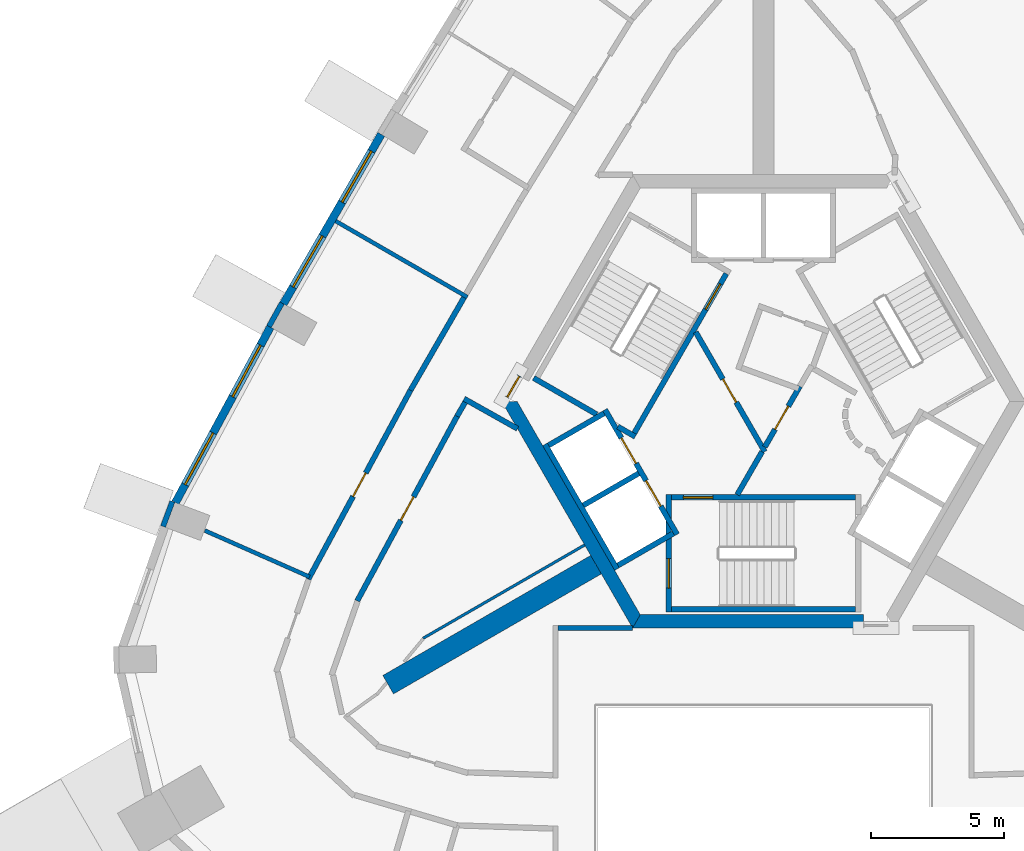
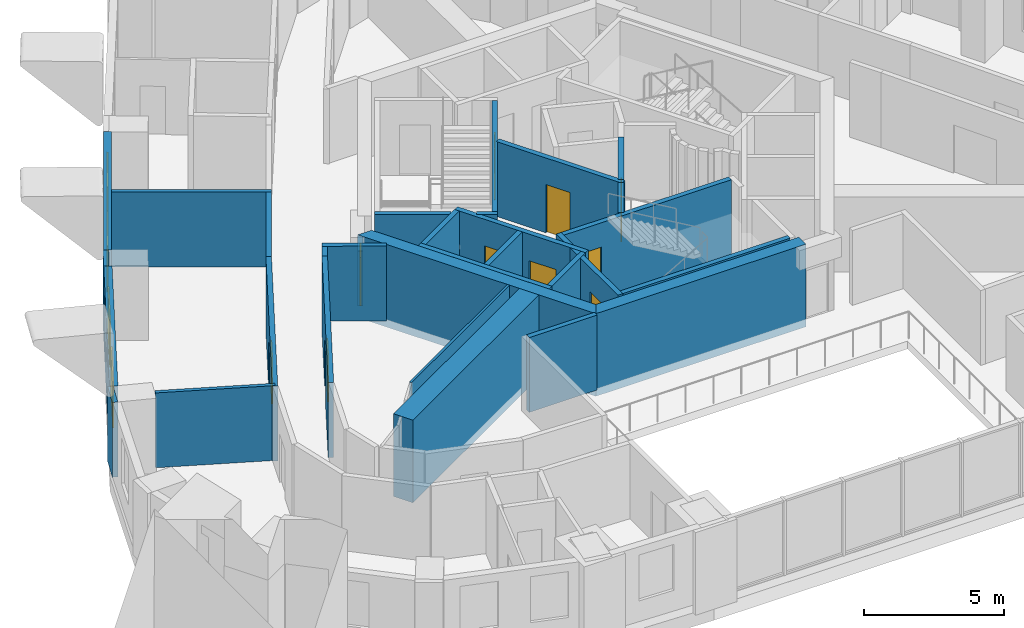
# One storey, part 4 of 11: 31 walls, 10 doors, 4 windows, 14 openings.
"""IFC4 building model written with IfcOpenShell, lengths in metres."""

from ifc_helpers import new_model, si_unit, direction, frame, frame_2d, origin, place, context, subcontext, project, spatial, polyline, rectangle, outline, extrude, material, layer, layer_set, type_object, element, fill, save


model = new_model("IFC4")

# Units and contexts
model_context = context("Model", 3, precision=1e-05, world=origin(), true_north=direction((0.0, 1.0)))
body_context = subcontext(model_context, "Body", "Model", "MODEL_VIEW")
ifc_project = project(units=[si_unit("LENGTHUNIT", "METRE"), si_unit("AREAUNIT", "SQUARE_METRE"), si_unit("VOLUMEUNIT", "CUBIC_METRE"), si_unit("PLANEANGLEUNIT", "RADIAN"), si_unit("MASSUNIT", "GRAM", prefix="KILO")], contexts=[model_context])

# Site, building, storey
site_placement = place(None, origin())
site = spatial("IfcSite", under=ifc_project, at=site_placement, CompositionType="ELEMENT")
building_placement = place(site_placement, origin())
building = spatial("IfcBuilding", under=site, at=building_placement, Name="Entoto Arch Interchange Tower", CompositionType="ELEMENT")
storey_placement = place(building_placement, frame((0.0, 0.0, 318.800048828125)))
storey = spatial("IfcBuildingStorey", under=building, at=storey_placement, Name="L75", CompositionType="ELEMENT", Elevation=318.800048828125)

# Wall
ifc_material_1 = material(Name="Concrete C40/50", Category="concrete")
ifc_layer_1 = layer(ifc_material_1, 0.800048828125)
ifc_layer_set_1 = layer_set([ifc_layer_1], Name="Concrete C40/50")
wall_type_1 = type_object("IfcWallType", Name="Buttress wall 800 C40/50", PredefinedType="SHEAR", material=ifc_layer_set_1)
wall_1_placement = place(storey_placement, frame((-6.279052734375, -3.625, -0.340087890625), z_axis=(0.0, 0.0, 1.0), x_axis=(-0.866017533419, -0.500013631625, 0.0)))
element("IfcWall", 1, at=wall_1_placement, inside=storey, type_object=wall_type_1, Name="Buttress wall SW L75", PredefinedType="SHEAR", context=body_context, shape_type="SweptSolid", body=[
    extrude(rectangle(XDim=8.999755859375, YDim=0.800048828125, at=frame_2d((4.5, 0.0))), origin(), (0.0, 0.0, 1.0), 3.60009765625),
])

# Wall, opening, door
ifc_material_2 = material(Name="Reinforced concrete C40/50", Category="concrete")
ifc_layer_2 = layer(ifc_material_2, 0.199951171875)
ifc_layer_set_2 = layer_set([ifc_layer_2], Name="Reinforced concrete C40/50")
wall_type_2 = type_object("IfcWallType", Name="CORE GAP INFILL WALL", PredefinedType="PARTITIONING", material=ifc_layer_set_2)
wall_2_placement = place(storey_placement, frame((-9.14990234375, 3.451904296875, 0.0), z_axis=(0.0, 0.0, 1.0), x_axis=(-0.500079945886, -0.865979242085, 0.0)))
wall_2 = element("IfcWall", 2, at=wall_2_placement, inside=storey, type_object=wall_type_2, Name="wall:L75:gap3", PredefinedType="PARTITIONING", context=body_context, shape_type="SweptSolid", body=[
    extrude(rectangle(XDim=0.926025390625, YDim=0.199951171875, at=frame_2d((0.462890625, 0.0))), origin(), (0.0, 0.0, 1.0), 2.39990234375),
])
opening_1_placement = place(wall_2_placement, frame((0.01708984375, 0.0, 0.0)))
opening_1 = element("IfcOpeningElement", 3, at=opening_1_placement, cuts=wall_2, Name="Opening L75-D93", PredefinedType="OPENING", context=body_context, shape_type="SweptSolid", body=[
    extrude(rectangle(XDim=0.89990234375, YDim=2.10009765625, at=frame_2d((0.449951171875, 1.050048828125))), frame((0.0, 0.10986328125, 0.0), z_axis=(0.0, -1.0, 0.0), x_axis=(1.0, 0.0, 0.0)), (0.0, 0.0, 1.0), 0.219970703125),
])
ifc_material_3 = material(Name="Fire-rated Steel S235 door and frame", Category="steel")
door_type_1 = type_object("IfcDoorType", Name="DOOR FD-09 900x2100", OperationType="SINGLE_SWING_LEFT", PredefinedType="DOOR", material=ifc_material_3)
door_1_placement = place(opening_1_placement, origin())
door_1 = element("IfcDoor", 4, at=door_1_placement, inside=storey, type_object=door_type_1, Name="door:L75:gap3", OperationType="SINGLE_SWING_LEFT", OverallHeight=2.10009765625, OverallWidth=0.89990234375, PredefinedType="DOOR", context=body_context, shape_type="SweptSolid", body=[
    extrude(rectangle(XDim=0.89990234375, YDim=2.10009765625, at=frame_2d((0.449951171875, 1.050048828125))), frame((0.0, 0.02490234375, 0.0), z_axis=(0.0, -1.0, 0.0), x_axis=(1.0, 0.0, 0.0)), (0.0, 0.0, 1.0), 0.050048828125),
])
fill(opening_1, door_1)

# Walls
ifc_layer_3 = layer(ifc_material_1, 0.5)
ifc_layer_set_3 = layer_set([ifc_layer_3], Name="Concrete C40/50")
wall_type_3 = type_object("IfcWallType", Name="Core wall 500 C40/50", PredefinedType="SHEAR", material=ifc_layer_set_3)
wall_3_placement = place(storey_placement, frame((0.0, 0.0, -0.340087890625)))
element("IfcWall", 5, at=wall_3_placement, inside=storey, type_object=wall_type_3, Name="Core wall SW L75", PredefinedType="SHEAR", context=body_context, shape_type="SweptSolid", body=[
    extrude(outline(polyline([(-9.81494140625, 2.5), (-4.906982421875, -6.0), (-4.618896484375, -5.5), (-9.238037109375, 2.5), (-9.81494140625, 2.5)])), origin(), (0.0, 0.0, 1.0), 3.60009765625),
])
wall_4_placement = place(storey_placement, frame((0.0, 0.0, -0.340087890625)))
element("IfcWall", 6, at=wall_4_placement, inside=storey, type_object=wall_type_3, Name="Core wall S L75", PredefinedType="SHEAR", context=body_context, shape_type="SweptSolid", body=[
    extrude(outline(polyline([(3.75, -6.0), (3.75, -5.5), (-4.618896484375, -5.5), (-4.906982421875, -6.0), (3.75, -6.0)])), origin(), (0.0, 0.0, 1.0), 3.60009765625),
])

# Wall, openings, doors
ifc_layer_4 = layer(ifc_material_1, 0.199951171875)
ifc_layer_set_4 = layer_set([ifc_layer_4], Name="Concrete C40/50")
wall_type_4 = type_object("IfcWallType", Name="LIFT SHAFT WALL 200", PredefinedType="STANDARD", material=ifc_layer_set_4)
wall_5_placement = place(storey_placement, frame((-5.93994140625, 2.18798828125, 0.0), z_axis=(0.0, 0.0, 1.0), x_axis=(0.500034260056, -0.866005622828, 0.0)))
wall_5 = element("IfcWall", 7, at=wall_5_placement, inside=storey, type_object=wall_type_4, Name="Shaft wall SW1 front", PredefinedType="STANDARD", context=body_context, shape_type="SweptSolid", body=[
    extrude(rectangle(XDim=5.3994140625, YDim=0.199951171875, at=frame_2d((2.69970703125, 0.0))), origin(), (0.0, 0.0, 1.0), 3.260009765625),
])
opening_2_placement = place(wall_5_placement, frame((3.074951171875, 0.0, 0.0)))
opening_2 = element("IfcOpeningElement", 8, at=opening_2_placement, cuts=wall_5, Name="Opening LD-HR4-L75", PredefinedType="OPENING", context=body_context, shape_type="SweptSolid", body=[
    extrude(rectangle(XDim=1.10009765625, YDim=2.10009765625, at=frame_2d((0.550048828125, 1.050048828125))), frame((0.0, 0.10986328125, 0.0), z_axis=(0.0, -1.0, 0.0), x_axis=(1.0, 0.0, 0.0)), (0.0, 0.0, 1.0), 0.219970703125),
])
opening_3_placement = place(wall_5_placement, frame((1.22509765625, 0.0, 0.0)))
opening_3 = element("IfcOpeningElement", 9, at=opening_3_placement, cuts=wall_5, Name="Opening LD-FF2-L75", PredefinedType="OPENING", context=body_context, shape_type="SweptSolid", body=[
    extrude(rectangle(XDim=1.10009765625, YDim=2.10009765625, at=frame_2d((0.550048828125, 1.050048828125))), frame((0.0, 0.10986328125, 0.0), z_axis=(0.0, -1.0, 0.0), x_axis=(1.0, 0.0, 0.0)), (0.0, 0.0, 1.0), 0.219970703125),
])
ifc_material_4 = material(Name="Stainless steel 1.4301 panels", Category="steel")
door_type_2 = type_object("IfcDoorType", Name="LIFT LANDING DOOR LD1 1100x2100", OperationType="SLIDING_TO_LEFT", PredefinedType="DOOR", material=ifc_material_4)
door_2_placement = place(opening_2_placement, origin())
door_2 = element("IfcDoor", 10, at=door_2_placement, inside=storey, type_object=door_type_2, Name="Lift landing door HR4 L75", OperationType="SLIDING_TO_LEFT", OverallHeight=2.10009765625, OverallWidth=1.10009765625, PredefinedType="DOOR", context=body_context, shape_type="SweptSolid", body=[
    extrude(rectangle(XDim=1.10009765625, YDim=2.10009765625, at=frame_2d((0.550048828125, 1.050048828125))), frame((0.0, 0.02490234375, 0.0), z_axis=(0.0, -1.0, 0.0), x_axis=(1.0, 0.0, 0.0)), (0.0, 0.0, 1.0), 0.050048828125),
])
fill(opening_2, door_2)
door_3_placement = place(opening_3_placement, origin())
door_3 = element("IfcDoor", 11, at=door_3_placement, inside=storey, type_object=door_type_2, Name="Lift landing door FF2 L75", OperationType="SLIDING_TO_LEFT", OverallHeight=2.10009765625, OverallWidth=1.10009765625, PredefinedType="DOOR", context=body_context, shape_type="SweptSolid", body=[
    extrude(rectangle(XDim=1.10009765625, YDim=2.10009765625, at=frame_2d((0.550048828125, 1.050048828125))), frame((0.0, 0.02490234375, 0.0), z_axis=(0.0, -1.0, 0.0), x_axis=(1.0, 0.0, 0.0)), (0.0, 0.0, 1.0), 0.050048828125),
])
fill(opening_3, door_3)

# Walls
wall_6_placement = place(storey_placement, frame((-8.19189453125, 0.887939453125, 0.0), z_axis=(0.0, 0.0, 1.0), x_axis=(0.500034260056, -0.866005622828, 0.0)))
element("IfcWall", 12, at=wall_6_placement, inside=storey, type_object=wall_type_4, Name="Shaft wall SW1 back", PredefinedType="STANDARD", context=body_context, shape_type="SweptSolid", body=[
    extrude(rectangle(XDim=5.3994140625, YDim=0.199951171875, at=frame_2d((2.69970703125, 0.0))), origin(), (0.0, 0.0, 1.0), 3.260009765625),
])
for number, where, z_axis, x_axis, name in (
    (13, (-5.97705078125, 2.052001953125, 0.0), (0.0, 0.0, 1.0), (-0.865973769406, -0.500089422704, 0.0), "Shaft wall SW1 cross 1"),
    (14, (-4.677001953125, -0.199951171875, 0.0), (0.0, 0.0, 1.0), (-0.865973769406, -0.500089422704, 0.0), "Shaft wall SW1 cross 2"),
):
    element("IfcWall", number, at=place(storey_placement, frame(where, z_axis=z_axis, x_axis=x_axis)), inside=storey, type_object=wall_type_4, Name=name, PredefinedType="STANDARD", context=body_context, shape_type="SweptSolid", body=[
        extrude(rectangle(XDim=2.3994140625, YDim=0.199951171875, at=frame_2d((1.19970703125, 0.0))), origin(), (0.0, 0.0, 1.0), 3.260009765625),
    ])
wall_7_placement = place(storey_placement, frame((-3.376953125, -2.451904296875, 0.0), z_axis=(0.0, 0.0, 1.0), x_axis=(-0.865955154139, -0.50012165622, 0.0)))
element("IfcWall", 15, at=wall_7_placement, inside=storey, type_object=wall_type_4, Name="Shaft wall SW1 cross 3", PredefinedType="STANDARD", context=body_context, shape_type="SweptSolid", body=[
    extrude(rectangle(XDim=2.39990234375, YDim=0.199951171875, at=frame_2d((1.199951171875, 0.0))), origin(), (0.0, 0.0, 1.0), 3.260009765625),
])
ifc_material_5 = material(Name="Gypsum board partition on steel studs", Category="steel")
ifc_layer_5 = layer(ifc_material_5, 0.10009765625)
ifc_layer_set_5 = layer_set([ifc_layer_5], Name="Gypsum board partition on steel studs")
wall_type_5 = type_object("IfcWallType", Name="PARTITION 100", PredefinedType="PARTITIONING", material=ifc_layer_set_5)
wall_8_placement = place(storey_placement, frame((-6.705078125, -2.886962890625, 0.0), z_axis=(0.0, 0.0, 1.0), x_axis=(-0.866001397039, -0.500041578597, 0.0)))
element("IfcWall", 16, at=wall_8_placement, inside=storey, type_object=wall_type_5, Name="wall:L75:p077", PredefinedType="PARTITIONING", context=body_context, shape_type="SweptSolid", body=[
    extrude(rectangle(XDim=6.99755859375, YDim=0.10009765625, at=frame_2d((3.498779296875, 0.0))), origin(), (0.0, 0.0, 1.0), 3.260009765625),
])
ifc_layer_6 = layer(ifc_material_5, 0.14990234375)
ifc_layer_set_6 = layer_set([ifc_layer_6], Name="Gypsum board partition on steel studs")
wall_type_6 = type_object("IfcWallType", Name="PARTITION 150", PredefinedType="PARTITIONING", material=ifc_layer_set_6)
wall_9_placement = place(storey_placement, frame((-11.10400390625, 6.409912109375, 0.0), z_axis=(0.0, 0.0, 1.0), x_axis=(-0.866004402611, 0.500036373335, 0.0)))
element("IfcWall", 17, at=wall_9_placement, inside=storey, type_object=wall_type_6, Name="wall:L75:p102", PredefinedType="PARTITIONING", context=body_context, shape_type="SweptSolid", body=[
    extrude(rectangle(XDim=5.69970703125, YDim=0.14990234375, at=frame_2d((2.849853515625, 0.0))), origin(), (0.0, 0.0, 1.0), 3.260009765625),
])
wall_10_placement = place(storey_placement, frame((-17.02001953125, -4.08203125, 0.0), z_axis=(0.0, 0.0, 1.0), x_axis=(-0.914599611743, 0.404360668462, 0.0)))
element("IfcWall", 18, at=wall_10_placement, inside=storey, type_object=wall_type_6, Name="wall:L75:p103", PredefinedType="PARTITIONING", context=body_context, shape_type="SweptSolid", body=[
    extrude(rectangle(XDim=4.2958984375, YDim=0.14990234375, at=frame_2d((2.14794921875, 0.0))), origin(), (0.0, 0.0, 1.0), 3.260009765625),
])
ifc_layer_7 = layer(ifc_material_5, 0.199951171875)
ifc_layer_set_7 = layer_set([ifc_layer_7], Name="Gypsum board partition on steel studs")
wall_type_7 = type_object("IfcWallType", Name="PARTITION 200", PredefinedType="PARTITIONING", material=ifc_layer_set_7)
wall_11_placement = place(storey_placement, frame((-11.18798828125, 2.464111328125, 0.0), z_axis=(0.0, 0.0, 1.0), x_axis=(-0.499406844493, -0.866367591542, 0.0)))
element("IfcWall", 19, at=wall_11_placement, inside=storey, type_object=wall_type_7, Name="wall:L75:p021", PredefinedType="PARTITIONING", context=body_context, shape_type="SweptSolid", body=[
    extrude(rectangle(XDim=0.602783203125, YDim=0.199951171875, at=frame_2d((0.30126953125, 0.0))), origin(), (0.0, 0.0, 1.0), 3.260009765625),
])

# Wall, opening, door
wall_12_placement = place(storey_placement, frame((-11.489013671875, 1.94189453125, 0.0), z_axis=(0.0, 0.0, 1.0), x_axis=(-0.475643534049, -0.879638123615, 0.0)))
wall_12 = element("IfcWall", 20, at=wall_12_placement, inside=storey, type_object=wall_type_7, Name="wall:L75:p022", PredefinedType="PARTITIONING", context=body_context, shape_type="SweptSolid", body=[
    extrude(rectangle(XDim=7.871337890625, YDim=0.199951171875, at=frame_2d((3.935546875, 0.0))), origin(), (0.0, 0.0, 1.0), 3.260009765625),
])
opening_4_placement = place(wall_12_placement, frame((3.43603515625, 0.0, 0.0)))
opening_4 = element("IfcOpeningElement", 21, at=opening_4_placement, cuts=wall_12, Name="Opening L75-D22", PredefinedType="OPENING", context=body_context, shape_type="SweptSolid", body=[
    extrude(rectangle(XDim=1.0, YDim=2.10009765625, at=frame_2d((0.5, 1.050048828125))), frame((0.0, 0.10986328125, 0.0), z_axis=(0.0, -1.0, 0.0), x_axis=(1.0, 0.0, 0.0)), (0.0, 0.0, 1.0), 0.219970703125),
])
ifc_material_6 = material(Name="Timber door leaf in Steel S235 frame", Category="steel")
door_type_3 = type_object("IfcDoorType", Name="DOOR DS-10 1000x2100", OperationType="SINGLE_SWING_LEFT", PredefinedType="DOOR", material=ifc_material_6)
door_4_placement = place(opening_4_placement, origin())
door_4 = element("IfcDoor", 22, at=door_4_placement, inside=storey, type_object=door_type_3, Name="door:L75:22", OperationType="SINGLE_SWING_LEFT", OverallHeight=2.10009765625, OverallWidth=1.0, PredefinedType="DOOR", context=body_context, shape_type="SweptSolid", body=[
    extrude(rectangle(XDim=1.0, YDim=2.10009765625, at=frame_2d((0.5, 1.050048828125))), frame((0.0, 0.02490234375, 0.0), z_axis=(0.0, -1.0, 0.0), x_axis=(1.0, 0.0, 0.0)), (0.0, 0.0, 1.0), 0.050048828125),
])
fill(opening_4, door_4)

# Wall
wall_13_placement = place(storey_placement, frame((-9.222900390625, 1.47412109375, 0.0), z_axis=(0.0, 0.0, 1.0), x_axis=(-0.871623785844, 0.490175454251, 0.0)))
element("IfcWall", 23, at=wall_13_placement, inside=storey, type_object=wall_type_7, Name="wall:L75:p025", PredefinedType="PARTITIONING", context=body_context, shape_type="SweptSolid", body=[
    extrude(rectangle(XDim=2.297119140625, YDim=0.199951171875, at=frame_2d((1.1484375, 0.0))), origin(), (0.0, 0.0, 1.0), 3.260009765625),
])

# Wall, opening, door
wall_14_placement = place(storey_placement, frame((-17.068115234375, -4.169921875, 0.0), z_axis=(0.0, 0.0, 1.0), x_axis=(0.475681790703, 0.879617436158, 0.0)))
wall_14 = element("IfcWall", 24, at=wall_14_placement, inside=storey, type_object=wall_type_7, Name="wall:L75:p049", PredefinedType="PARTITIONING", context=body_context, shape_type="SweptSolid", body=[
    extrude(rectangle(XDim=8.057861328125, YDim=0.199951171875, at=frame_2d((4.02880859375, 0.0))), origin(), (0.0, 0.0, 1.0), 3.260009765625),
])
opening_5_placement = place(wall_14_placement, frame((3.529052734375, 0.0, 0.0)))
opening_5 = element("IfcOpeningElement", 25, at=opening_5_placement, cuts=wall_14, Name="Opening L75-D17", PredefinedType="OPENING", context=body_context, shape_type="SweptSolid", body=[
    extrude(rectangle(XDim=1.0, YDim=2.10009765625, at=frame_2d((0.5, 1.050048828125))), frame((0.0, 0.10986328125, 0.0), z_axis=(0.0, -1.0, 0.0), x_axis=(1.0, 0.0, 0.0)), (0.0, 0.0, 1.0), 0.219970703125),
])
door_5_placement = place(opening_5_placement, origin())
door_5 = element("IfcDoor", 26, at=door_5_placement, inside=storey, type_object=door_type_3, Name="door:L75:17", OperationType="SINGLE_SWING_LEFT", OverallHeight=2.10009765625, OverallWidth=1.0, PredefinedType="DOOR", context=body_context, shape_type="SweptSolid", body=[
    extrude(rectangle(XDim=1.0, YDim=2.10009765625, at=frame_2d((0.5, 1.050048828125))), frame((0.0, 0.02490234375, 0.0), z_axis=(0.0, -1.0, 0.0), x_axis=(1.0, 0.0, 0.0)), (0.0, 0.0, 1.0), 0.050048828125),
])
fill(opening_5, door_5)

# Walls
wall_15_placement = place(storey_placement, frame((-13.235107421875, 2.91796875, 0.0), z_axis=(0.0, 0.0, 1.0), x_axis=(0.49992599743, 0.866068124973, 0.0)))
element("IfcWall", 27, at=wall_15_placement, inside=storey, type_object=wall_type_7, Name="wall:L75:p050", PredefinedType="PARTITIONING", context=body_context, shape_type="SweptSolid", body=[
    extrude(rectangle(XDim=4.0146484375, YDim=0.199951171875, at=frame_2d((2.00732421875, 0.0))), origin(), (0.0, 0.0, 1.0), 3.260009765625),
])
wall_16_placement = place(storey_placement, frame((-0.98193359375, -1.0, 0.0), z_axis=(0.0, 0.0, 1.0), x_axis=(0.50024047865, 0.865886518847, 0.0)))
element("IfcWall", 28, at=wall_16_placement, inside=storey, type_object=wall_type_7, Name="wall:L75:p057", PredefinedType="PARTITIONING", context=body_context, shape_type="SweptSolid", body=[
    extrude(rectangle(XDim=1.86279296875, YDim=0.199951171875, at=frame_2d((0.931396484375, 0.0))), origin(), (0.0, 0.0, 1.0), 3.260009765625),
])

# Wall, opening, door
wall_17_placement = place(storey_placement, frame((0.050048828125, 0.787109375, 0.0), z_axis=(0.0, 0.0, 1.0), x_axis=(0.500070457302, 0.865984721421, 0.0)))
wall_17 = element("IfcWall", 29, at=wall_17_placement, inside=storey, type_object=wall_type_7, Name="wall:L75:p058", PredefinedType="PARTITIONING", context=body_context, shape_type="SweptSolid", body=[
    extrude(rectangle(XDim=2.63134765625, YDim=0.199951171875, at=frame_2d((1.315673828125, 0.0))), origin(), (0.0, 0.0, 1.0), 3.260009765625),
])
opening_6_placement = place(wall_17_placement, frame((0.76611328125, 0.0, 0.0)))
opening_6 = element("IfcOpeningElement", 30, at=opening_6_placement, cuts=wall_17, Name="Opening L75-D24", PredefinedType="OPENING", context=body_context, shape_type="SweptSolid", body=[
    extrude(rectangle(XDim=1.0, YDim=2.10009765625, at=frame_2d((0.5, 1.050048828125))), frame((0.0, 0.10986328125, 0.0), z_axis=(0.0, -1.0, 0.0), x_axis=(1.0, 0.0, 0.0)), (0.0, 0.0, 1.0), 0.219970703125),
])
door_type_4 = type_object("IfcDoorType", Name="DOOR FD-10 1000x2100", OperationType="SINGLE_SWING_LEFT", PredefinedType="DOOR", material=ifc_material_3)
door_6_placement = place(opening_6_placement, origin())
door_6 = element("IfcDoor", 31, at=door_6_placement, inside=storey, type_object=door_type_4, Name="door:L75:24", OperationType="SINGLE_SWING_RIGHT", OverallHeight=2.10009765625, OverallWidth=1.0, PredefinedType="DOOR", context=body_context, shape_type="SweptSolid", body=[
    extrude(rectangle(XDim=1.0, YDim=2.10009765625, at=frame_2d((0.5, 1.050048828125))), frame((0.0, 0.02490234375, 0.0), z_axis=(0.0, -1.0, 0.0), x_axis=(1.0, 0.0, 0.0)), (0.0, 0.0, 1.0), 0.050048828125),
])
fill(opening_6, door_6)

wall_18_placement = place(storey_placement, frame((-2.5400390625, 5.10009765625, 0.0), z_axis=(0.0, 0.0, 1.0), x_axis=(0.499925051871, -0.866068670783, 0.0)))
wall_18 = element("IfcWall", 32, at=wall_18_placement, inside=storey, type_object=wall_type_7, Name="wall:L75:p068", PredefinedType="PARTITIONING", context=body_context, shape_type="SweptSolid", body=[
    extrude(rectangle(XDim=5.180908203125, YDim=0.199951171875, at=frame_2d((2.59033203125, 0.0))), origin(), (0.0, 0.0, 1.0), 3.260009765625),
])
opening_7_placement = place(wall_18_placement, frame((2.0400390625, 0.0, 0.0)))
opening_7 = element("IfcOpeningElement", 33, at=opening_7_placement, cuts=wall_18, Name="Opening L75-D25", PredefinedType="OPENING", context=body_context, shape_type="SweptSolid", body=[
    extrude(rectangle(XDim=1.0, YDim=2.10009765625, at=frame_2d((0.5, 1.050048828125))), frame((0.0, 0.10986328125, 0.0), z_axis=(0.0, -1.0, 0.0), x_axis=(1.0, 0.0, 0.0)), (0.0, 0.0, 1.0), 0.219970703125),
])
door_7_placement = place(opening_7_placement, origin())
door_7 = element("IfcDoor", 34, at=door_7_placement, inside=storey, type_object=door_type_4, Name="door:L75:25", OperationType="SINGLE_SWING_RIGHT", OverallHeight=2.10009765625, OverallWidth=1.0, PredefinedType="DOOR", context=body_context, shape_type="SweptSolid", body=[
    extrude(rectangle(XDim=1.0, YDim=2.10009765625, at=frame_2d((0.5, 1.050048828125))), frame((0.0, 0.02490234375, 0.0), z_axis=(0.0, -1.0, 0.0), x_axis=(1.0, 0.0, 0.0)), (0.0, 0.0, 1.0), 0.050048828125),
])
fill(opening_7, door_7)

# Wall
wall_19_placement = place(storey_placement, frame((-7.699951171875, -5.9990234375, 0.0), z_axis=(0.0, 0.0, 1.0), x_axis=(1.0, 0.0, 0.0)))
element("IfcWall", 35, at=wall_19_placement, inside=storey, type_object=wall_type_7, Name="wall:L75:p072", PredefinedType="PARTITIONING", context=body_context, shape_type="SweptSolid", body=[
    extrude(rectangle(XDim=2.7919921875, YDim=0.199951171875, at=frame_2d((1.39599609375, 0.0))), origin(), (0.0, 0.0, 1.0), 3.260009765625),
])

# Wall, opening, door
ifc_layer_8 = layer(ifc_material_1, 0.199951171875)
ifc_layer_set_8 = layer_set([ifc_layer_8], Name="Concrete C40/50")
wall_type_8 = type_object("IfcWallType", Name="STAIR ENCLOSURE WALL 200", PredefinedType="STANDARD", material=ifc_layer_set_8)
wall_20_placement = place(storey_placement, frame((-3.550048828125, -1.0, 0.0), z_axis=(0.0, 0.0, 1.0), x_axis=(0.0, -1.0, 0.0)))
wall_20 = element("IfcWall", 36, at=wall_20_placement, inside=storey, type_object=wall_type_8, Name="Stair wall ST-S near", PredefinedType="STANDARD", context=body_context, shape_type="SweptSolid", body=[
    extrude(rectangle(XDim=4.39990234375, YDim=0.199951171875, at=frame_2d((2.199951171875, 0.0))), origin(), (0.0, 0.0, 1.0), 3.260009765625),
])
opening_8_placement = place(wall_20_placement, frame((2.39990234375, 0.0, 0.0)))
opening_8 = element("IfcOpeningElement", 37, at=opening_8_placement, cuts=wall_20, Name="Opening SD-ST-S-L75-E", PredefinedType="OPENING", context=body_context, shape_type="SweptSolid", body=[
    extrude(rectangle(XDim=1.10009765625, YDim=2.199951171875, at=frame_2d((0.550048828125, 1.10009765625))), frame((0.0, 0.10986328125, 0.0), z_axis=(0.0, -1.0, 0.0), x_axis=(1.0, 0.0, 0.0)), (0.0, 0.0, 1.0), 0.219970703125),
])
ifc_material_7 = material(Name="Steel S235", Category="steel")
door_type_5 = type_object("IfcDoorType", Name="STAIR DOOR SD1 1100x2200", OperationType="SINGLE_SWING_LEFT", PredefinedType="DOOR", material=ifc_material_7)
door_8_placement = place(opening_8_placement, origin())
door_8 = element("IfcDoor", 38, at=door_8_placement, inside=storey, type_object=door_type_5, Name="Stair door ST-S L75 end", OperationType="SINGLE_SWING_LEFT", OverallHeight=2.199951171875, OverallWidth=1.10009765625, PredefinedType="DOOR", context=body_context, shape_type="SweptSolid", body=[
    extrude(rectangle(XDim=1.10009765625, YDim=2.199951171875, at=frame_2d((0.550048828125, 1.10009765625))), frame((0.0, 0.02490234375, 0.0), z_axis=(0.0, -1.0, 0.0), x_axis=(1.0, 0.0, 0.0)), (0.0, 0.0, 1.0), 0.050048828125),
])
fill(opening_8, door_8)

wall_21_placement = place(storey_placement, frame((-3.449951171875, -1.10009765625, 0.0), z_axis=(0.0, 0.0, 1.0), x_axis=(1.0, 0.0, 0.0)))
wall_21 = element("IfcWall", 39, at=wall_21_placement, inside=storey, type_object=wall_type_8, Name="Stair wall ST-S hall", PredefinedType="STANDARD", context=body_context, shape_type="SweptSolid", body=[
    extrude(rectangle(XDim=6.89990234375, YDim=0.199951171875, at=frame_2d((3.449951171875, 0.0))), origin(), (0.0, 0.0, 1.0), 3.260009765625),
])
opening_9_placement = place(wall_21_placement, frame((0.449951171875, 0.0, 0.0)))
opening_9 = element("IfcOpeningElement", 40, at=opening_9_placement, cuts=wall_21, Name="Opening SD-ST-S-L75", PredefinedType="OPENING", context=body_context, shape_type="SweptSolid", body=[
    extrude(rectangle(XDim=1.10009765625, YDim=2.199951171875, at=frame_2d((0.550048828125, 1.10009765625))), frame((0.0, 0.10986328125, 0.0), z_axis=(0.0, -1.0, 0.0), x_axis=(1.0, 0.0, 0.0)), (0.0, 0.0, 1.0), 0.219970703125),
])
door_9_placement = place(opening_9_placement, origin())
door_9 = element("IfcDoor", 41, at=door_9_placement, inside=storey, type_object=door_type_5, Name="Stair door ST-S L75", OperationType="SINGLE_SWING_LEFT", OverallHeight=2.199951171875, OverallWidth=1.10009765625, PredefinedType="DOOR", context=body_context, shape_type="SweptSolid", body=[
    extrude(rectangle(XDim=1.10009765625, YDim=2.199951171875, at=frame_2d((0.550048828125, 1.10009765625))), frame((0.0, 0.02490234375, 0.0), z_axis=(0.0, -1.0, 0.0), x_axis=(1.0, 0.0, 0.0)), (0.0, 0.0, 1.0), 0.050048828125),
])
fill(opening_9, door_9)

# Walls
wall_22_placement = place(storey_placement, frame((-3.449951171875, -5.300048828125, 0.0), z_axis=(0.0, 0.0, 1.0), x_axis=(1.0, 0.0, 0.0)))
element("IfcWall", 42, at=wall_22_placement, inside=storey, type_object=wall_type_8, Name="Stair wall ST-S back", PredefinedType="STANDARD", context=body_context, shape_type="SweptSolid", body=[
    extrude(rectangle(XDim=6.89990234375, YDim=0.199951171875, at=frame_2d((3.449951171875, 0.0))), origin(), (0.0, 0.0, 1.0), 3.260009765625),
])
wall_23_placement = place(storey_placement, frame((-6.25, 2.010009765625, 0.0), z_axis=(0.0, 0.0, 1.0), x_axis=(-0.86611865017, 0.499838457731, 0.0)))
element("IfcWall", 43, at=wall_23_placement, inside=storey, type_object=wall_type_8, Name="Stair wall ST-NW far", PredefinedType="STANDARD", context=body_context, shape_type="SweptSolid", body=[
    extrude(rectangle(XDim=2.73291015625, YDim=0.199951171875, at=frame_2d((1.366455078125, 0.0))), origin(), (0.0, 0.0, 1.0), 3.260009765625),
])
wall_24_placement = place(storey_placement, frame((-4.805908203125, 1.176025390625, 0.0), z_axis=(0.0, 0.0, 1.0), x_axis=(-0.866558586415, 0.499075361355, 0.0)))
element("IfcWall", 44, at=wall_24_placement, inside=storey, type_object=wall_type_8, Name="Stair wall ST-NW far return", PredefinedType="STANDARD", context=body_context, shape_type="SweptSolid", body=[
    extrude(rectangle(XDim=0.75146484375, YDim=0.199951171875, at=frame_2d((0.375732421875, 0.0))), origin(), (0.0, 0.0, 1.0), 3.260009765625),
])

# Wall, opening, door
wall_25_placement = place(storey_placement, frame((-1.39306640625, 7.2880859375, 0.0), z_axis=(0.0, 0.0, 1.0), x_axis=(-0.499963383562, -0.866046543262, 0.0)))
wall_25 = element("IfcWall", 45, at=wall_25_placement, inside=storey, type_object=wall_type_8, Name="Stair wall ST-NW hall", PredefinedType="STANDARD", context=body_context, shape_type="SweptSolid", body=[
    extrude(rectangle(XDim=6.900390625, YDim=0.199951171875, at=frame_2d((3.4501953125, 0.0))), origin(), (0.0, 0.0, 1.0), 3.260009765625),
])
opening_10_placement = place(wall_25_placement, frame((0.449951171875, 0.0, 0.0)))
opening_10 = element("IfcOpeningElement", 46, at=opening_10_placement, cuts=wall_25, Name="Opening SD-ST-NW-L75", PredefinedType="OPENING", context=body_context, shape_type="SweptSolid", body=[
    extrude(rectangle(XDim=1.10009765625, YDim=2.199951171875, at=frame_2d((0.550048828125, 1.10009765625))), frame((0.0, 0.10986328125, 0.0), z_axis=(0.0, -1.0, 0.0), x_axis=(1.0, 0.0, 0.0)), (0.0, 0.0, 1.0), 0.219970703125),
])
door_10_placement = place(opening_10_placement, origin())
door_10 = element("IfcDoor", 47, at=door_10_placement, inside=storey, type_object=door_type_5, Name="Stair door ST-NW L75", OperationType="SINGLE_SWING_LEFT", OverallHeight=2.199951171875, OverallWidth=1.10009765625, PredefinedType="DOOR", context=body_context, shape_type="SweptSolid", body=[
    extrude(rectangle(XDim=1.10009765625, YDim=2.199951171875, at=frame_2d((0.550048828125, 1.10009765625))), frame((0.0, 0.02490234375, 0.0), z_axis=(0.0, -1.0, 0.0), x_axis=(1.0, 0.0, 0.0)), (0.0, 0.0, 1.0), 0.050048828125),
])
fill(opening_10, door_10)

# Wall, openings, windows
ifc_material_8 = material(Name="Welded tuff (ignimbrite) cladding, warm buff", Category="masonry")
ifc_layer_9 = layer(ifc_material_8, 0.300048828125)
ifc_layer_set_9 = layer_set([ifc_layer_9], Name="Welded tuff (ignimbrite) cladding, warm buff")
wall_type_9 = type_object("IfcWallType", Name="STONE INFILL WALL 300", PredefinedType="STANDARD", material=ifc_layer_set_9)
wall_26_placement = place(storey_placement, frame((-14.333984375, 12.514892578125, 0.0), z_axis=(0.0, 0.0, 1.0), x_axis=(-0.499958474759, -0.866049377066, 0.0)))
wall_26 = element("IfcWall", 48, at=wall_26_placement, inside=storey, type_object=wall_type_9, Name="Facade wall NW-02 L75", PredefinedType="STANDARD", context=body_context, shape_type="SweptSolid", body=[
    extrude(rectangle(XDim=7.34228515625, YDim=0.300048828125, at=frame_2d((3.671142578125, 0.0))), origin(), (0.0, 0.0, 1.0), 3.260009765625),
])
opening_11_placement = place(wall_26_placement, frame((0.736083984375, 0.0, 0.89990234375)))
opening_11 = element("IfcOpeningElement", 49, at=opening_11_placement, cuts=wall_26, Name="Opening WH-A", PredefinedType="OPENING", context=body_context, shape_type="SweptSolid", body=[
    extrude(rectangle(XDim=2.199951171875, YDim=2.0, at=frame_2d((1.10009765625, 1.0))), frame((0.0, 0.16015625, 0.0), z_axis=(0.0, -1.0, 0.0), x_axis=(1.0, 0.0, 0.0)), (0.0, 0.0, 1.0), 0.320068359375),
])
opening_12_placement = place(wall_26_placement, frame((4.406982421875, 0.0, 0.89990234375)))
opening_12 = element("IfcOpeningElement", 50, at=opening_12_placement, cuts=wall_26, Name="Opening WH-A", PredefinedType="OPENING", context=body_context, shape_type="SweptSolid", body=[
    extrude(rectangle(XDim=2.199951171875, YDim=2.0, at=frame_2d((1.10009765625, 1.0))), frame((0.0, 0.16015625, 0.0), z_axis=(0.0, -1.0, 0.0), x_axis=(1.0, 0.0, 0.0)), (0.0, 0.0, 1.0), 0.320068359375),
])
ifc_material_9 = material(Name="Clear glass, low-e double glazed", Category="glass")
window_type = type_object("IfcWindowType", Name="WINDOW WH-A 2200x2000", PartitioningType="DOUBLE_PANEL_VERTICAL", PredefinedType="WINDOW", material=ifc_material_9)
window_1_placement = place(opening_11_placement, origin())
window_1 = element("IfcWindow", 51, at=window_1_placement, inside=storey, type_object=window_type, Name="Window WH-A NW-02 L75", OverallHeight=2.0, OverallWidth=2.199951171875, PartitioningType="SINGLE_PANEL", PredefinedType="WINDOW", context=body_context, shape_type="SweptSolid", body=[
    extrude(rectangle(XDim=2.199951171875, YDim=2.0, at=frame_2d((1.10009765625, 1.0))), frame((0.0, 0.030029296875, 0.0), z_axis=(0.0, -1.0, 0.0), x_axis=(1.0, 0.0, 0.0)), (0.0, 0.0, 1.0), 0.06005859375),
])
fill(opening_11, window_1)
window_2_placement = place(opening_12_placement, origin())
window_2 = element("IfcWindow", 52, at=window_2_placement, inside=storey, type_object=window_type, Name="Window WH-A NW-02 L75", OverallHeight=2.0, OverallWidth=2.199951171875, PartitioningType="SINGLE_PANEL", PredefinedType="WINDOW", context=body_context, shape_type="SweptSolid", body=[
    extrude(rectangle(XDim=2.199951171875, YDim=2.0, at=frame_2d((1.10009765625, 1.0))), frame((0.0, 0.030029296875, 0.0), z_axis=(0.0, -1.0, 0.0), x_axis=(1.0, 0.0, 0.0)), (0.0, 0.0, 1.0), 0.06005859375),
])
fill(opening_12, window_2)

wall_27_placement = place(storey_placement, frame((-18.491943359375, 5.284912109375, 0.0), z_axis=(0.0, 0.0, 1.0), x_axis=(-0.475690331633, -0.879612817319, 0.0)))
wall_27 = element("IfcWall", 53, at=wall_27_placement, inside=storey, type_object=wall_type_9, Name="Facade wall NW-03 L75", PredefinedType="STANDARD", context=body_context, shape_type="SweptSolid", body=[
    extrude(rectangle(XDim=7.48388671875, YDim=0.300048828125, at=frame_2d((3.741943359375, 0.0))), origin(), (0.0, 0.0, 1.0), 3.260009765625),
])
opening_13_placement = place(wall_27_placement, frame((0.77099609375, 0.0, 0.89990234375)))
opening_13 = element("IfcOpeningElement", 54, at=opening_13_placement, cuts=wall_27, Name="Opening WH-A", PredefinedType="OPENING", context=body_context, shape_type="SweptSolid", body=[
    extrude(rectangle(XDim=2.199951171875, YDim=2.0, at=frame_2d((1.10009765625, 1.0))), frame((0.0, 0.16015625, 0.0), z_axis=(0.0, -1.0, 0.0), x_axis=(1.0, 0.0, 0.0)), (0.0, 0.0, 1.0), 0.320068359375),
])
opening_14_placement = place(wall_27_placement, frame((4.512939453125, 0.0, 0.89990234375)))
opening_14 = element("IfcOpeningElement", 55, at=opening_14_placement, cuts=wall_27, Name="Opening WH-A", PredefinedType="OPENING", context=body_context, shape_type="SweptSolid", body=[
    extrude(rectangle(XDim=2.199951171875, YDim=2.0, at=frame_2d((1.10009765625, 1.0))), frame((0.0, 0.16015625, 0.0), z_axis=(0.0, -1.0, 0.0), x_axis=(1.0, 0.0, 0.0)), (0.0, 0.0, 1.0), 0.320068359375),
])
window_3_placement = place(opening_13_placement, origin())
window_3 = element("IfcWindow", 56, at=window_3_placement, inside=storey, type_object=window_type, Name="Window WH-A NW-03 L75", OverallHeight=2.0, OverallWidth=2.199951171875, PartitioningType="SINGLE_PANEL", PredefinedType="WINDOW", context=body_context, shape_type="SweptSolid", body=[
    extrude(rectangle(XDim=2.199951171875, YDim=2.0, at=frame_2d((1.10009765625, 1.0))), frame((0.0, 0.030029296875, 0.0), z_axis=(0.0, -1.0, 0.0), x_axis=(1.0, 0.0, 0.0)), (0.0, 0.0, 1.0), 0.06005859375),
])
fill(opening_13, window_3)
window_4_placement = place(opening_14_placement, origin())
window_4 = element("IfcWindow", 57, at=window_4_placement, inside=storey, type_object=window_type, Name="Window WH-A NW-03 L75", OverallHeight=2.0, OverallWidth=2.199951171875, PartitioningType="SINGLE_PANEL", PredefinedType="WINDOW", context=body_context, shape_type="SweptSolid", body=[
    extrude(rectangle(XDim=2.199951171875, YDim=2.0, at=frame_2d((1.10009765625, 1.0))), frame((0.0, 0.030029296875, 0.0), z_axis=(0.0, -1.0, 0.0), x_axis=(1.0, 0.0, 0.0)), (0.0, 0.0, 1.0), 0.06005859375),
])
fill(opening_14, window_4)

# Walls
ifc_layer_10 = layer(ifc_material_8, 0.199951171875)
ifc_layer_set_10 = layer_set([ifc_layer_10], Name="Welded tuff (ignimbrite) cladding, warm buff")
wall_type_10 = type_object("IfcWallType", Name="STONE PIER CLADDING 200", PredefinedType="STANDARD", material=ifc_layer_set_10)
wall_28_placement = place(storey_placement, frame((-18.055908203125, 6.18505859375, 0.0), z_axis=(0.0, 0.0, 1.0), x_axis=(-0.486036693078, -0.873938403425, 0.0)))
element("IfcWall", 58, at=wall_28_placement, inside=storey, type_object=wall_type_10, Name="Stone pier NW03 L75", PredefinedType="STANDARD", context=body_context, shape_type="SweptSolid", body=[
    extrude(rectangle(XDim=1.0, YDim=0.199951171875, at=frame_2d((0.5, 0.0))), origin(), (0.0, 0.0, 1.0), 3.260009765625),
])
wall_29_placement = place(storey_placement, frame((-22.1640625, -1.2548828125, 0.0), z_axis=(0.0, 0.0, 1.0), x_axis=(-0.350962844851, -0.936389385637, 0.0)))
element("IfcWall", 59, at=wall_29_placement, inside=storey, type_object=wall_type_10, Name="Stone pier NW04 L75", PredefinedType="STANDARD", context=body_context, shape_type="SweptSolid", body=[
    extrude(rectangle(XDim=0.99951171875, YDim=0.199951171875, at=frame_2d((0.499755859375, 0.0))), origin(), (0.0, 0.0, 1.0), 3.260009765625),
])

save(model, "model.ifc")
